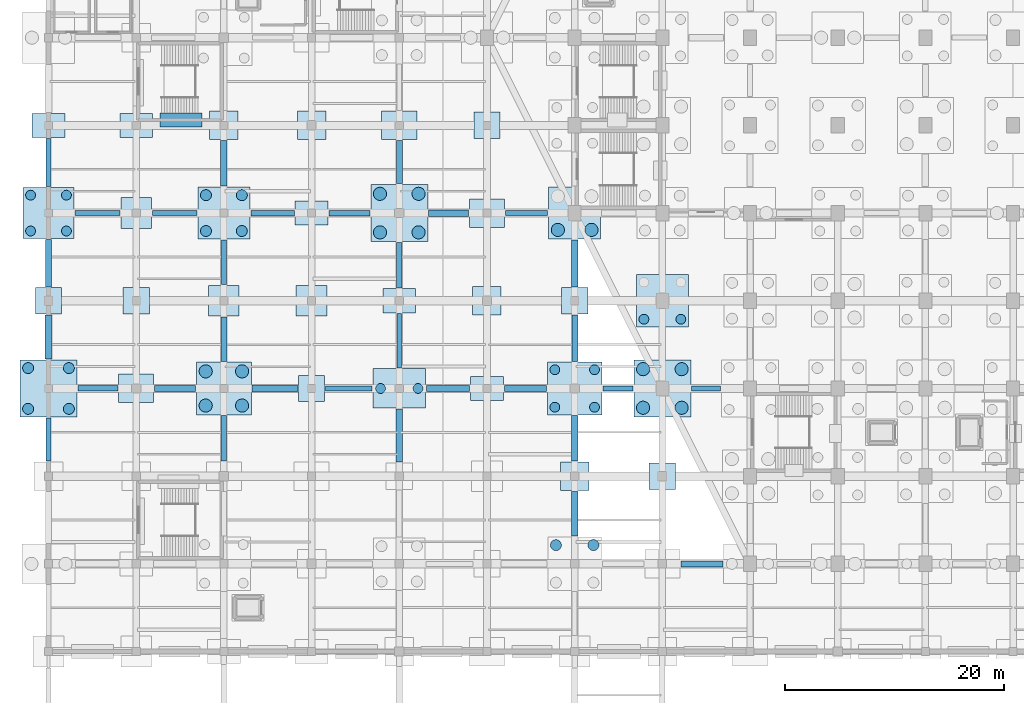
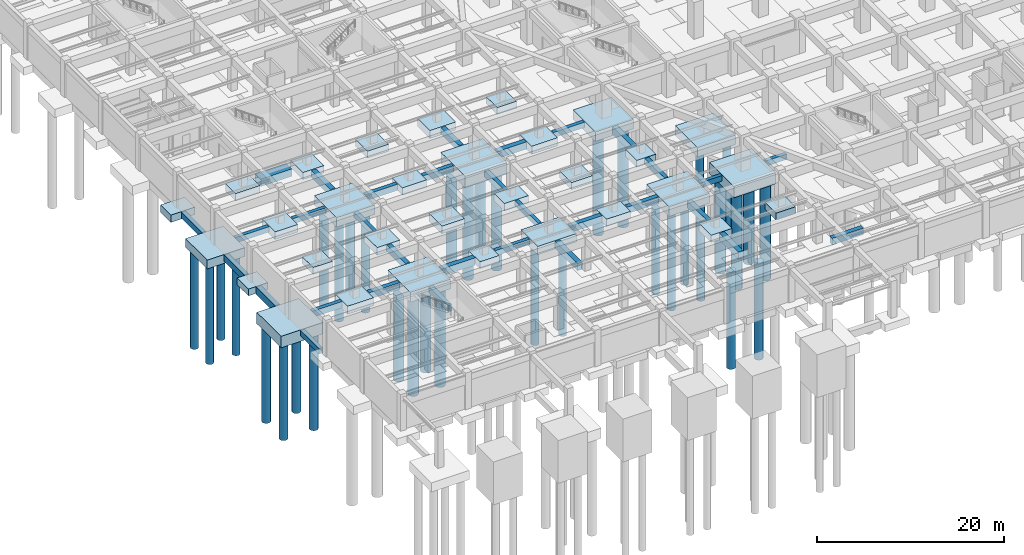
# One storey, part 2 of 36: 63 footings, 36 piles.
"""IFC4 building model written with IfcOpenShell, lengths in metres."""

from ifc_helpers import new_model, si_unit, direction, frame, origin, origin_2d, place, context, subcontext, project, spatial, rectangle, circle, extrude, material, material_profile, profile_set, type_object, element, save


model = new_model("IFC4")

# Units and contexts
model_context = context("Model", 3, precision=1e-05, world=origin(), true_north=direction((0.0, 1.0)))
body_context = subcontext(model_context, "Body", "Model", "MODEL_VIEW")
ifc_project = project(units=[si_unit("LENGTHUNIT", "METRE"), si_unit("AREAUNIT", "SQUARE_METRE"), si_unit("VOLUMEUNIT", "CUBIC_METRE"), si_unit("PLANEANGLEUNIT", "RADIAN"), si_unit("MASSUNIT", "GRAM", prefix="KILO")], contexts=[model_context])

# Site, building, storey
site_placement = place(None, origin())
site = spatial("IfcSite", under=ifc_project, at=site_placement, CompositionType="ELEMENT")
building_placement = place(site_placement, origin())
building = spatial("IfcBuilding", under=site, at=building_placement, Name="Tazarka Park Arena", CompositionType="ELEMENT")
storey_placement = place(building_placement, frame((0.0, 0.0, -4.800048828125)))
storey = spatial("IfcBuildingStorey", under=building, at=storey_placement, Name="B1", CompositionType="ELEMENT", Elevation=-4.800048828125)

# Footings
ifc_material_1 = material(Name="Concrete C35/45", Category="concrete")
footing_type_1 = type_object("IfcFootingType", Name="CAP-PC-03", PredefinedType="PILE_CAP", material=ifc_material_1)
footing_1_placement = place(storey_placement, frame((32.0, 32.0, -1.10009765625), z_axis=(0.0, 0.0, 1.0), x_axis=(1.0, 0.0, 0.0)))
element("IfcFooting", 1, at=footing_1_placement, inside=storey, type_object=footing_type_1, Name="CAP-G-04-04", PredefinedType="PILE_CAP", context=body_context, shape_type="SweptSolid", body=[
    extrude(rectangle(XDim=4.800048828125, YDim=3.60009765625, at=origin_2d()), origin(), (0.0, 0.0, 1.0), 1.10009765625),
])
ifc_material_2 = material(Name="Concrete C35/45", Category="concrete")
footing_type_2 = type_object("IfcFootingType", Name="CAP-PC-04", PredefinedType="PILE_CAP", material=ifc_material_2)
for number, where, z_axis, x_axis, name in (
    (2, (16.0, 32.0, -1.2998046875), (0.0, 0.0, 1.0), (1.0, 0.0, 0.0), "CAP-G-02-04"),
    (3, (48.0, 32.0, -1.2998046875), (0.0, 0.0, 1.0), (1.0, 0.0, 0.0), "CAP-G-06-04"),
):
    element("IfcFooting", number, at=place(storey_placement, frame(where, z_axis=z_axis, x_axis=x_axis)), inside=storey, type_object=footing_type_2, Name=name, PredefinedType="PILE_CAP", context=body_context, shape_type="SweptSolid", body=[
        extrude(rectangle(XDim=5.0, YDim=4.800048828125, at=origin_2d()), origin(), (0.0, 0.0, 1.0), 1.300048828125),
    ])
ifc_material_3 = material(Name="Concrete C35/45", Category="concrete")
footing_type_3 = type_object("IfcFootingType", Name="CAP-PC-05", PredefinedType="PILE_CAP", material=ifc_material_3)
for number, where, z_axis, x_axis, name in (
    (4, (0.0, 32.0, -1.5), (0.0, 0.0, 1.0), (1.0, 0.0, 0.0), "CAP-G-00-04"),
    (5, (32.0, 48.0, -1.5), (0.0, 0.0, 1.0), (1.0, 0.0, 0.0), "CAP-G-04-06"),
    (6, (56.0, 32.0, -1.5), (0.0, 0.0, 1.0), (1.0, 0.0, 0.0), "CAP-G-07-04"),
):
    element("IfcFooting", number, at=place(storey_placement, frame(where, z_axis=z_axis, x_axis=x_axis)), inside=storey, type_object=footing_type_3, Name=name, PredefinedType="PILE_CAP", context=body_context, shape_type="SweptSolid", body=[
        extrude(rectangle(XDim=5.199951171875, YDim=5.199951171875, at=origin_2d()), origin(), (0.0, 0.0, 1.0), 1.5),
    ])
ifc_material_4 = material(Name="Concrete C35/45", Category="concrete")
footing_type_4 = type_object("IfcFootingType", Name="CAP-PC-06", PredefinedType="PILE_CAP", material=ifc_material_4)
for number, where, z_axis, x_axis, name in (
    (7, (16.0, 48.0, -1.25), (0.0, 0.0, 1.0), (1.0, 0.0, 0.0), "CAP-G-02-06"),
    (8, (48.0, 48.0, -1.25), (0.0, 0.0, 1.0), (1.0, 0.0, 0.0), "CAP-G-06-06"),
    (9, (56.0, 40.0, -1.25), (0.0, 0.0, 1.0), (1.0, 0.0, 0.0), "CAP-G-07-05"),
):
    element("IfcFooting", number, at=place(storey_placement, frame(where, z_axis=z_axis, x_axis=x_axis)), inside=storey, type_object=footing_type_4, Name=name, PredefinedType="PILE_CAP", context=body_context, shape_type="SweptSolid", body=[
        extrude(rectangle(XDim=4.75, YDim=4.75, at=origin_2d()), origin(), (0.0, 0.0, 1.0), 1.25),
    ])
ifc_material_5 = material(Name="Concrete C35/45", Category="concrete")
footing_type_5 = type_object("IfcFootingType", Name="CAP-PC-07", PredefinedType="PILE_CAP", material=ifc_material_5)
footing_2_placement = place(storey_placement, frame((0.0, 48.0, -1.14990234375), z_axis=(0.0, 0.0, 1.0), x_axis=(1.0, 0.0, 0.0)))
element("IfcFooting", 10, at=footing_2_placement, inside=storey, type_object=footing_type_5, Name="CAP-G-00-06", PredefinedType="PILE_CAP", context=body_context, shape_type="SweptSolid", body=[
    extrude(rectangle(XDim=4.64990234375, YDim=4.64990234375, at=origin_2d()), origin(), (0.0, 0.0, 1.0), 1.14990234375),
])
ifc_material_6 = material(Name="Concrete C35/45", Category="concrete")
ifc_material_profile_1 = material_profile(ifc_material_6, rectangle(XDim=0.449951171875, YDim=0.699951171875, at=origin_2d()), Name="Concrete C35/45")
ifc_profile_set_1 = profile_set([ifc_material_profile_1], Name="Concrete C35/45")
footing_type_6 = type_object("IfcFootingType", Name="GB-GB-01", PredefinedType="FOOTING_BEAM", material=ifc_profile_set_1)
footing_3_placement = place(storey_placement, frame((0.0, 25.3798828125, -0.349853515625), z_axis=(0.0, 1.0, 0.0), x_axis=(-1.0, 0.0, 0.0)))
element("IfcFooting", 11, at=footing_3_placement, inside=storey, type_object=footing_type_6, Name="GB-Y-00-03", PredefinedType="FOOTING_BEAM", context=body_context, shape_type="SweptSolid", body=[
    extrude(rectangle(XDim=0.449951171875, YDim=0.699951171875, at=origin_2d()), origin(), (0.0, 0.0, 1.0), 3.940185546875),
])
footing_4_placement = place(storey_placement, frame((2.405029296875, 48.0, -0.349853515625), z_axis=(1.0, 0.0, 0.0), x_axis=(0.0, 1.0, 0.0)))
element("IfcFooting", 12, at=footing_4_placement, inside=storey, type_object=footing_type_6, Name="GB-X-00-06", PredefinedType="FOOTING_BEAM", context=body_context, shape_type="SweptSolid", body=[
    extrude(rectangle(XDim=0.449951171875, YDim=0.699951171875, at=origin_2d()), origin(), (0.0, 0.0, 1.0), 4.114990234375),
])
for number, where, z_axis, x_axis, name in (
    (13, (9.47998046875, 48.0, -0.349853515625), (1.0, 0.0, 0.0), (0.0, 1.0, 0.0), "GB-X-01-06"),
    (14, (16.0, 41.47998046875, -0.349853515625), (0.0, 1.0, 0.0), (-1.0, 0.0, 0.0), "GB-Y-02-05"),
):
    element("IfcFooting", number, at=place(storey_placement, frame(where, z_axis=z_axis, x_axis=x_axis)), inside=storey, type_object=footing_type_6, Name=name, PredefinedType="FOOTING_BEAM", context=body_context, shape_type="SweptSolid", body=[
        extrude(rectangle(XDim=0.449951171875, YDim=0.699951171875, at=origin_2d()), origin(), (0.0, 0.0, 1.0), 4.06494140625),
    ])
footing_5_placement = place(storey_placement, frame((25.280029296875, 32.0, -0.349853515625), z_axis=(1.0, 0.0, 0.0), x_axis=(0.0, 1.0, 0.0)))
element("IfcFooting", 15, at=footing_5_placement, inside=storey, type_object=footing_type_6, Name="GB-X-03-04", PredefinedType="FOOTING_BEAM", context=body_context, shape_type="SweptSolid", body=[
    extrude(rectangle(XDim=0.449951171875, YDim=0.699951171875, at=origin_2d()), origin(), (0.0, 0.0, 1.0), 4.239990234375),
])
footing_6_placement = place(storey_placement, frame((32.0, 33.8798828125, -0.349853515625), z_axis=(0.0, 1.0, 0.0), x_axis=(-1.0, 0.0, 0.0)))
element("IfcFooting", 16, at=footing_6_placement, inside=storey, type_object=footing_type_6, Name="GB-Y-04-04", PredefinedType="FOOTING_BEAM", context=body_context, shape_type="SweptSolid", body=[
    extrude(rectangle(XDim=0.449951171875, YDim=0.699951171875, at=origin_2d()), origin(), (0.0, 0.0, 1.0), 4.940185546875),
])
footing_7_placement = place(storey_placement, frame((41.679931640625, 48.0, -0.349853515625), z_axis=(1.0, 0.0, 0.0), x_axis=(0.0, 1.0, 0.0)))
element("IfcFooting", 17, at=footing_7_placement, inside=storey, type_object=footing_type_6, Name="GB-X-05-06", PredefinedType="FOOTING_BEAM", context=body_context, shape_type="SweptSolid", body=[
    extrude(rectangle(XDim=0.449951171875, YDim=0.699951171875, at=origin_2d()), origin(), (0.0, 0.0, 1.0), 3.864990234375),
])
footing_8_placement = place(storey_placement, frame((50.580078125, 32.0, -0.349853515625), z_axis=(1.0, 0.0, 0.0), x_axis=(0.0, 1.0, 0.0)))
element("IfcFooting", 18, at=footing_8_placement, inside=storey, type_object=footing_type_6, Name="GB-X-06-04", PredefinedType="FOOTING_BEAM", context=body_context, shape_type="SweptSolid", body=[
    extrude(rectangle(XDim=0.449951171875, YDim=0.699951171875, at=origin_2d()), origin(), (0.0, 0.0, 1.0), 2.739990234375),
])
footing_9_placement = place(storey_placement, frame((58.679931640625, 32.0, -0.349853515625), z_axis=(1.0, 0.0, 0.0), x_axis=(0.0, 1.0, 0.0)))
element("IfcFooting", 19, at=footing_9_placement, inside=storey, type_object=footing_type_6, Name="GB-X-07-04", PredefinedType="FOOTING_BEAM", context=body_context, shape_type="SweptSolid", body=[
    extrude(rectangle(XDim=0.449951171875, YDim=0.699951171875, at=origin_2d()), origin(), (0.0, 0.0, 1.0), 2.64013671875),
])
ifc_material_7 = material(Name="Concrete C35/45", Category="concrete")
ifc_material_profile_2 = material_profile(ifc_material_7, rectangle(XDim=0.5, YDim=0.800048828125, at=origin_2d()), Name="Concrete C35/45")
ifc_profile_set_2 = profile_set([ifc_material_profile_2], Name="Concrete C35/45")
footing_type_7 = type_object("IfcFootingType", Name="GB-GB-02", PredefinedType="FOOTING_BEAM", material=ifc_profile_set_2)
footing_10_placement = place(storey_placement, frame((2.679931640625, 32.0, -0.39990234375), z_axis=(1.0, 0.0, 0.0), x_axis=(0.0, 1.0, 0.0)))
element("IfcFooting", 20, at=footing_10_placement, inside=storey, type_object=footing_type_7, Name="GB-X-00-04", PredefinedType="FOOTING_BEAM", context=body_context, shape_type="SweptSolid", body=[
    extrude(rectangle(XDim=0.5, YDim=0.800048828125, at=origin_2d()), origin(), (0.0, 0.0, 1.0), 3.64013671875),
])
footing_11_placement = place(storey_placement, frame((0.0, 50.405029296875, -0.39990234375), z_axis=(0.0, 1.0, 0.0), x_axis=(-1.0, 0.0, 0.0)))
element("IfcFooting", 21, at=footing_11_placement, inside=storey, type_object=footing_type_7, Name="GB-Y-00-06", PredefinedType="FOOTING_BEAM", context=body_context, shape_type="SweptSolid", body=[
    extrude(rectangle(XDim=0.5, YDim=0.800048828125, at=origin_2d()), origin(), (0.0, 0.0, 1.0), 4.4150390625),
])
footing_12_placement = place(storey_placement, frame((16.0, 25.3798828125, -0.39990234375), z_axis=(0.0, 1.0, 0.0), x_axis=(-1.0, 0.0, 0.0)))
element("IfcFooting", 22, at=footing_12_placement, inside=storey, type_object=footing_type_7, Name="GB-Y-02-03", PredefinedType="FOOTING_BEAM", context=body_context, shape_type="SweptSolid", body=[
    extrude(rectangle(XDim=0.5, YDim=0.800048828125, at=origin_2d()), origin(), (0.0, 0.0, 1.0), 4.14013671875),
])
footing_13_placement = place(storey_placement, frame((18.455078125, 48.0, -0.39990234375), z_axis=(1.0, 0.0, 0.0), x_axis=(0.0, 1.0, 0.0)))
element("IfcFooting", 23, at=footing_13_placement, inside=storey, type_object=footing_type_7, Name="GB-X-02-06", PredefinedType="FOOTING_BEAM", context=body_context, shape_type="SweptSolid", body=[
    extrude(rectangle(XDim=0.5, YDim=0.800048828125, at=origin_2d()), origin(), (0.0, 0.0, 1.0), 3.96484375),
])
footing_14_placement = place(storey_placement, frame((25.580078125, 48.0, -0.39990234375), z_axis=(1.0, 0.0, 0.0), x_axis=(0.0, 1.0, 0.0)))
element("IfcFooting", 24, at=footing_14_placement, inside=storey, type_object=footing_type_7, Name="GB-X-03-06", PredefinedType="FOOTING_BEAM", context=body_context, shape_type="SweptSolid", body=[
    extrude(rectangle(XDim=0.5, YDim=0.800048828125, at=origin_2d()), origin(), (0.0, 0.0, 1.0), 3.739990234375),
])
footing_15_placement = place(storey_placement, frame((32.0, 41.179931640625, -0.39990234375), z_axis=(0.0, 1.0, 0.0), x_axis=(-1.0, 0.0, 0.0)))
element("IfcFooting", 25, at=footing_15_placement, inside=storey, type_object=footing_type_7, Name="GB-Y-04-05", PredefinedType="FOOTING_BEAM", context=body_context, shape_type="SweptSolid", body=[
    extrude(rectangle(XDim=0.5, YDim=0.800048828125, at=origin_2d()), origin(), (0.0, 0.0, 1.0), 4.14013671875),
])
footing_16_placement = place(storey_placement, frame((48.0, 34.47998046875, -0.39990234375), z_axis=(0.0, 1.0, 0.0), x_axis=(-1.0, 0.0, 0.0)))
element("IfcFooting", 26, at=footing_16_placement, inside=storey, type_object=footing_type_7, Name="GB-Y-06-04", PredefinedType="FOOTING_BEAM", context=body_context, shape_type="SweptSolid", body=[
    extrude(rectangle(XDim=0.5, YDim=0.800048828125, at=origin_2d()), origin(), (0.0, 0.0, 1.0), 4.239990234375),
])
ifc_material_8 = material(Name="Concrete C35/45", Category="concrete")
ifc_material_profile_3 = material_profile(ifc_material_8, rectangle(XDim=0.60009765625, YDim=0.949951171875, at=origin_2d()), Name="Concrete C35/45")
ifc_profile_set_3 = profile_set([ifc_material_profile_3], Name="Concrete C35/45")
footing_type_8 = type_object("IfcFootingType", Name="GB-GB-03", PredefinedType="FOOTING_BEAM", material=ifc_profile_set_3)
footing_17_placement = place(storey_placement, frame((0.0, 34.679931640625, -0.474853515625), z_axis=(0.0, 1.0, 0.0), x_axis=(-1.0, 0.0, 0.0)))
element("IfcFooting", 27, at=footing_17_placement, inside=storey, type_object=footing_type_8, Name="GB-Y-00-04", PredefinedType="FOOTING_BEAM", context=body_context, shape_type="SweptSolid", body=[
    extrude(rectangle(XDim=0.60009765625, YDim=0.949951171875, at=origin_2d()), origin(), (0.0, 0.0, 1.0), 4.0400390625),
])
footing_18_placement = place(storey_placement, frame((18.580078125, 32.0, -0.474853515625), z_axis=(1.0, 0.0, 0.0), x_axis=(0.0, 1.0, 0.0)))
element("IfcFooting", 28, at=footing_18_placement, inside=storey, type_object=footing_type_8, Name="GB-X-02-04", PredefinedType="FOOTING_BEAM", context=body_context, shape_type="SweptSolid", body=[
    extrude(rectangle(XDim=0.60009765625, YDim=0.949951171875, at=origin_2d()), origin(), (0.0, 0.0, 1.0), 4.139892578125),
])
footing_19_placement = place(storey_placement, frame((16.0, 50.455078125, -0.474853515625), z_axis=(0.0, 1.0, 0.0), x_axis=(-1.0, 0.0, 0.0)))
element("IfcFooting", 29, at=footing_19_placement, inside=storey, type_object=footing_type_8, Name="GB-Y-02-06", PredefinedType="FOOTING_BEAM", context=body_context, shape_type="SweptSolid", body=[
    extrude(rectangle(XDim=0.60009765625, YDim=0.949951171875, at=origin_2d()), origin(), (0.0, 0.0, 1.0), 4.1650390625),
])
footing_20_placement = place(storey_placement, frame((32.0, 25.280029296875, -0.474853515625), z_axis=(0.0, 1.0, 0.0), x_axis=(-1.0, 0.0, 0.0)))
element("IfcFooting", 30, at=footing_20_placement, inside=storey, type_object=footing_type_8, Name="GB-Y-04-03", PredefinedType="FOOTING_BEAM", context=body_context, shape_type="SweptSolid", body=[
    extrude(rectangle(XDim=0.60009765625, YDim=0.949951171875, at=origin_2d()), origin(), (0.0, 0.0, 1.0), 4.840087890625),
])
footing_21_placement = place(storey_placement, frame((34.679931640625, 48.0, -0.474853515625), z_axis=(1.0, 0.0, 0.0), x_axis=(0.0, 1.0, 0.0)))
element("IfcFooting", 31, at=footing_21_placement, inside=storey, type_object=footing_type_8, Name="GB-X-04-06", PredefinedType="FOOTING_BEAM", context=body_context, shape_type="SweptSolid", body=[
    extrude(rectangle(XDim=0.60009765625, YDim=0.949951171875, at=origin_2d()), origin(), (0.0, 0.0, 1.0), 3.64013671875),
])
footing_22_placement = place(storey_placement, frame((48.0, 18.530029296875, -0.474853515625), z_axis=(0.0, 1.0, 0.0), x_axis=(-1.0, 0.0, 0.0)))
element("IfcFooting", 32, at=footing_22_placement, inside=storey, type_object=footing_type_8, Name="GB-Y-06-02", PredefinedType="FOOTING_BEAM", context=body_context, shape_type="SweptSolid", body=[
    extrude(rectangle(XDim=0.60009765625, YDim=0.949951171875, at=origin_2d()), origin(), (0.0, 0.0, 1.0), 4.090087890625),
])
footing_23_placement = place(storey_placement, frame((48.0, 41.280029296875, -0.474853515625), z_axis=(0.0, 1.0, 0.0), x_axis=(-1.0, 0.0, 0.0)))
element("IfcFooting", 33, at=footing_23_placement, inside=storey, type_object=footing_type_8, Name="GB-Y-06-05", PredefinedType="FOOTING_BEAM", context=body_context, shape_type="SweptSolid", body=[
    extrude(rectangle(XDim=0.60009765625, YDim=0.949951171875, at=origin_2d()), origin(), (0.0, 0.0, 1.0), 4.264892578125),
])
ifc_material_9 = material(Name="Concrete C35/45", Category="concrete")
ifc_material_profile_4 = material_profile(ifc_material_9, rectangle(XDim=0.550048828125, YDim=0.85009765625, at=origin_2d()), Name="Concrete C35/45")
ifc_profile_set_4 = profile_set([ifc_material_profile_4], Name="Concrete C35/45")
footing_type_9 = type_object("IfcFootingType", Name="GB-GB-04", PredefinedType="FOOTING_BEAM", material=ifc_profile_set_4)
footing_24_placement = place(storey_placement, frame((0.0, 41.280029296875, -0.425048828125), z_axis=(0.0, 1.0, 0.0), x_axis=(-1.0, 0.0, 0.0)))
element("IfcFooting", 34, at=footing_24_placement, inside=storey, type_object=footing_type_9, Name="GB-Y-00-05", PredefinedType="FOOTING_BEAM", context=body_context, shape_type="SweptSolid", body=[
    extrude(rectangle(XDim=0.550048828125, YDim=0.85009765625, at=origin_2d()), origin(), (0.0, 0.0, 1.0), 4.31494140625),
])
footing_25_placement = place(storey_placement, frame((9.679931640625, 32.0, -0.425048828125), z_axis=(1.0, 0.0, 0.0), x_axis=(0.0, 1.0, 0.0)))
element("IfcFooting", 35, at=footing_25_placement, inside=storey, type_object=footing_type_9, Name="GB-X-01-04", PredefinedType="FOOTING_BEAM", context=body_context, shape_type="SweptSolid", body=[
    extrude(rectangle(XDim=0.550048828125, YDim=0.85009765625, at=origin_2d()), origin(), (0.0, 0.0, 1.0), 3.739990234375),
])
footing_26_placement = place(storey_placement, frame((16.0, 34.47998046875, -0.425048828125), z_axis=(0.0, 1.0, 0.0), x_axis=(-1.0, 0.0, 0.0)))
element("IfcFooting", 36, at=footing_26_placement, inside=storey, type_object=footing_type_9, Name="GB-Y-02-04", PredefinedType="FOOTING_BEAM", context=body_context, shape_type="SweptSolid", body=[
    extrude(rectangle(XDim=0.550048828125, YDim=0.85009765625, at=origin_2d()), origin(), (0.0, 0.0, 1.0), 4.0400390625),
])
footing_27_placement = place(storey_placement, frame((34.47998046875, 32.0, -0.425048828125), z_axis=(1.0, 0.0, 0.0), x_axis=(0.0, 1.0, 0.0)))
element("IfcFooting", 37, at=footing_27_placement, inside=storey, type_object=footing_type_9, Name="GB-X-04-04", PredefinedType="FOOTING_BEAM", context=body_context, shape_type="SweptSolid", body=[
    extrude(rectangle(XDim=0.550048828125, YDim=0.85009765625, at=origin_2d()), origin(), (0.0, 0.0, 1.0), 3.93994140625),
])
footing_28_placement = place(storey_placement, frame((32.0, 50.679931640625, -0.425048828125), z_axis=(0.0, 1.0, 0.0), x_axis=(-1.0, 0.0, 0.0)))
element("IfcFooting", 38, at=footing_28_placement, inside=storey, type_object=footing_type_9, Name="GB-Y-04-06", PredefinedType="FOOTING_BEAM", context=body_context, shape_type="SweptSolid", body=[
    extrude(rectangle(XDim=0.550048828125, YDim=0.85009765625, at=origin_2d()), origin(), (0.0, 0.0, 1.0), 3.940185546875),
])
footing_29_placement = place(storey_placement, frame((41.580078125, 32.0, -0.425048828125), z_axis=(1.0, 0.0, 0.0), x_axis=(0.0, 1.0, 0.0)))
element("IfcFooting", 39, at=footing_29_placement, inside=storey, type_object=footing_type_9, Name="GB-X-05-04", PredefinedType="FOOTING_BEAM", context=body_context, shape_type="SweptSolid", body=[
    extrude(rectangle(XDim=0.550048828125, YDim=0.85009765625, at=origin_2d()), origin(), (0.0, 0.0, 1.0), 3.83984375),
])
footing_30_placement = place(storey_placement, frame((48.0, 25.3798828125, -0.425048828125), z_axis=(0.0, 1.0, 0.0), x_axis=(-1.0, 0.0, 0.0)))
element("IfcFooting", 40, at=footing_30_placement, inside=storey, type_object=footing_type_9, Name="GB-Y-06-03", PredefinedType="FOOTING_BEAM", context=body_context, shape_type="SweptSolid", body=[
    extrude(rectangle(XDim=0.550048828125, YDim=0.85009765625, at=origin_2d()), origin(), (0.0, 0.0, 1.0), 4.14013671875),
])
footing_31_placement = place(storey_placement, frame((57.679931640625, 16.0, -0.425048828125), z_axis=(1.0, 0.0, 0.0), x_axis=(0.0, 1.0, 0.0)))
element("IfcFooting", 41, at=footing_31_placement, inside=storey, type_object=footing_type_9, Name="GB-X-07-02", PredefinedType="FOOTING_BEAM", context=body_context, shape_type="SweptSolid", body=[
    extrude(rectangle(XDim=0.550048828125, YDim=0.85009765625, at=origin_2d()), origin(), (0.0, 0.0, 1.0), 3.840087890625),
])
ifc_material_10 = material(Name="Concrete C35/45", Category="concrete")
footing_type_10 = type_object("IfcFootingType", Name="PAD-PF-01", PredefinedType="PAD_FOOTING", material=ifc_material_10)
for number, where, z_axis, x_axis, name in (
    (42, (0.0, 40.0, -0.89990234375), (0.0, 0.0, 1.0), (1.0, 0.0, 0.0), "PAD-G-00-05"),
    (43, (8.0, 40.0, -0.89990234375), (0.0, 0.0, 1.0), (1.0, 0.0, 0.0), "PAD-G-01-05"),
    (44, (24.0, 32.0, -0.89990234375), (0.0, 0.0, 1.0), (1.0, 0.0, 0.0), "PAD-G-03-04"),
    (45, (40.0, 56.0, -0.89990234375), (0.0, 0.0, 1.0), (1.0, 0.0, 0.0), "PAD-G-05-07"),
    (46, (48.0, 40.0, -0.89990234375), (0.0, 0.0, 1.0), (1.0, 0.0, 0.0), "PAD-G-06-05"),
    (47, (56.0, 24.0, -0.89990234375), (0.0, 0.0, 1.0), (1.0, 0.0, 0.0), "PAD-G-07-03"),
):
    element("IfcFooting", number, at=place(storey_placement, frame(where, z_axis=z_axis, x_axis=x_axis)), inside=storey, type_object=footing_type_10, Name=name, PredefinedType="PAD_FOOTING", context=body_context, shape_type="SweptSolid", body=[
        extrude(rectangle(XDim=2.39990234375, YDim=2.39990234375, at=origin_2d()), origin(), (0.0, 0.0, 1.0), 0.89990234375),
    ])
ifc_material_11 = material(Name="Concrete C35/45", Category="concrete")
footing_type_11 = type_object("IfcFootingType", Name="PAD-PF-02", PredefinedType="PAD_FOOTING", material=ifc_material_11)
for number, where, z_axis, x_axis, name in (
    (48, (8.0, 48.0, -1.0), (0.0, 0.0, 1.0), (1.0, 0.0, 0.0), "PAD-G-01-06"),
    (49, (16.0, 40.0, -1.0), (0.0, 0.0, 1.0), (1.0, 0.0, 0.0), "PAD-G-02-05"),
    (50, (24.0, 40.0, -1.0), (0.0, 0.0, 1.0), (1.0, 0.0, 0.0), "PAD-G-03-05"),
):
    element("IfcFooting", number, at=place(storey_placement, frame(where, z_axis=z_axis, x_axis=x_axis)), inside=storey, type_object=footing_type_11, Name=name, PredefinedType="PAD_FOOTING", context=body_context, shape_type="SweptSolid", body=[
        extrude(rectangle(XDim=2.800048828125, YDim=2.800048828125, at=origin_2d()), origin(), (0.0, 0.0, 1.0), 1.0),
    ])
ifc_material_12 = material(Name="Concrete C35/45", Category="concrete")
footing_type_12 = type_object("IfcFootingType", Name="PAD-PF-03", PredefinedType="PAD_FOOTING", material=ifc_material_12)
for number, where, z_axis, x_axis, name in (
    (51, (0.0, 56.0, -0.94970703125), (0.0, 0.0, 1.0), (1.0, 0.0, 0.0), "PAD-G-00-07"),
    (52, (8.0, 56.0, -0.94970703125), (0.0, 0.0, 1.0), (1.0, 0.0, 0.0), "PAD-G-01-07"),
    (53, (24.0, 48.0, -0.94970703125), (0.0, 0.0, 1.0), (1.0, 0.0, 0.0), "PAD-G-03-06"),
    (54, (32.0, 40.0, -0.94970703125), (0.0, 0.0, 1.0), (1.0, 0.0, 0.0), "PAD-G-04-05"),
    (55, (40.0, 32.0, -0.94970703125), (0.0, 0.0, 1.0), (1.0, 0.0, 0.0), "PAD-G-05-04"),
):
    element("IfcFooting", number, at=place(storey_placement, frame(where, z_axis=z_axis, x_axis=x_axis)), inside=storey, type_object=footing_type_12, Name=name, PredefinedType="PAD_FOOTING", context=body_context, shape_type="SweptSolid", body=[
        extrude(rectangle(XDim=3.0, YDim=2.199951171875, at=origin_2d()), origin(), (0.0, 0.0, 1.0), 0.949951171875),
    ])
ifc_material_13 = material(Name="Concrete C35/45", Category="concrete")
footing_type_13 = type_object("IfcFootingType", Name="PAD-PF-04", PredefinedType="PAD_FOOTING", material=ifc_material_13)
for number, where, z_axis, x_axis, name in (
    (56, (16.0, 56.0, -0.919921875), (0.0, 0.0, 1.0), (1.0, 0.0, 0.0), "PAD-G-02-07"),
    (57, (24.0, 56.0, -0.919921875), (0.0, 0.0, 1.0), (1.0, 0.0, 0.0), "PAD-G-03-07"),
    (58, (40.0, 40.0, -0.919921875), (0.0, 0.0, 1.0), (1.0, 0.0, 0.0), "PAD-G-05-05"),
    (59, (48.0, 24.0, -0.919921875), (0.0, 0.0, 1.0), (1.0, 0.0, 0.0), "PAD-G-06-03"),
):
    element("IfcFooting", number, at=place(storey_placement, frame(where, z_axis=z_axis, x_axis=x_axis)), inside=storey, type_object=footing_type_13, Name=name, PredefinedType="PAD_FOOTING", context=body_context, shape_type="SweptSolid", body=[
        extrude(rectangle(XDim=2.60009765625, YDim=2.60009765625, at=origin_2d()), origin(), (0.0, 0.0, 1.0), 0.919921875),
    ])
ifc_material_14 = material(Name="Concrete C35/45", Category="concrete")
footing_type_14 = type_object("IfcFootingType", Name="PAD-PF-05", PredefinedType="PAD_FOOTING", material=ifc_material_14)
for number, where, z_axis, x_axis, name in (
    (60, (8.0, 32.0, -1.0498046875), (0.0, 0.0, 1.0), (1.0, 0.0, 0.0), "PAD-G-01-04"),
    (61, (32.0, 56.0, -1.0498046875), (0.0, 0.0, 1.0), (1.0, 0.0, 0.0), "PAD-G-04-07"),
    (62, (40.0, 48.0, -1.0498046875), (0.0, 0.0, 1.0), (1.0, 0.0, 0.0), "PAD-G-05-06"),
):
    element("IfcFooting", number, at=place(storey_placement, frame(where, z_axis=z_axis, x_axis=x_axis)), inside=storey, type_object=footing_type_14, Name=name, PredefinedType="PAD_FOOTING", context=body_context, shape_type="SweptSolid", body=[
        extrude(rectangle(XDim=3.199951171875, YDim=2.60009765625, at=origin_2d()), origin(), (0.0, 0.0, 1.0), 1.050048828125),
    ])

# Piles
ifc_material_15 = material(Name="Concrete C35/45", Category="concrete")
ifc_material_profile_5 = material_profile(ifc_material_15, circle(Radius=0.5, at=origin_2d()), Name="Concrete C35/45")
ifc_profile_set_5 = profile_set([ifc_material_profile_5], Name="Concrete C35/45")
pile_type_1 = type_object("IfcPileType", Name="PILE-D1000", PredefinedType="BORED", material=ifc_profile_set_5)
for number, where, z_axis, x_axis, name in (
    (63, (-1.860107421875, 30.139892578125, -1.39990234375), (0.0, 0.0, -1.0), (1.0, 0.0, 0.0), "PLN-G-00-04-1"),
    (64, (1.860107421875, 30.139892578125, -1.39990234375), (0.0, 0.0, -1.0), (1.0, 0.0, 0.0), "PLN-G-00-04-2"),
    (65, (-1.860107421875, 33.860107421875, -1.39990234375), (0.0, 0.0, -1.0), (1.0, 0.0, 0.0), "PLN-G-00-04-3"),
    (66, (1.860107421875, 33.860107421875, -1.39990234375), (0.0, 0.0, -1.0), (1.0, 0.0, 0.0), "PLN-G-00-04-4"),
):
    element("IfcPile", number, at=place(storey_placement, frame(where, z_axis=z_axis, x_axis=x_axis)), inside=storey, type_object=pile_type_1, Name=name, PredefinedType="BORED", context=body_context, shape_type="SweptSolid", body=[
        extrude(circle(Radius=0.5, at=origin_2d()), origin(), (0.0, 0.0, 1.0), 12.60009765625),
    ])
for number, where, z_axis, x_axis, name in (
    (67, (14.364990234375, 46.364990234375, -1.14990234375), (0.0, 0.0, -1.0), (1.0, 0.0, 0.0), "PLN-G-02-06-1"),
    (68, (17.635009765625, 46.364990234375, -1.14990234375), (0.0, 0.0, -1.0), (1.0, 0.0, 0.0), "PLN-G-02-06-2"),
    (69, (14.364990234375, 49.635009765625, -1.14990234375), (0.0, 0.0, -1.0), (1.0, 0.0, 0.0), "PLN-G-02-06-3"),
    (70, (17.635009765625, 49.635009765625, -1.14990234375), (0.0, 0.0, -1.0), (1.0, 0.0, 0.0), "PLN-G-02-06-4"),
):
    element("IfcPile", number, at=place(storey_placement, frame(where, z_axis=z_axis, x_axis=x_axis)), inside=storey, type_object=pile_type_1, Name=name, PredefinedType="BORED", context=body_context, shape_type="SweptSolid", body=[
        extrude(circle(Radius=0.5, at=origin_2d()), origin(), (0.0, 0.0, 1.0), 12.85009765625),
    ])
for number, where, z_axis, x_axis, name in (
    (71, (46.2900390625, 17.7099609375, -1.300048828125), (0.0, 0.0, -1.0), (1.0, 0.0, 0.0), "PLN-G-06-02-3"),
    (72, (49.7099609375, 17.7099609375, -1.300048828125), (0.0, 0.0, -1.0), (1.0, 0.0, 0.0), "PLN-G-06-02-4"),
):
    element("IfcPile", number, at=place(storey_placement, frame(where, z_axis=z_axis, x_axis=x_axis)), inside=storey, type_object=pile_type_1, Name=name, PredefinedType="BORED", context=body_context, shape_type="SweptSolid", body=[
        extrude(circle(Radius=0.5, at=origin_2d()), origin(), (0.0, 0.0, 1.0), 12.699951171875),
    ])
ifc_material_16 = material(Name="Concrete C35/45", Category="concrete")
ifc_material_profile_6 = material_profile(ifc_material_16, circle(Radius=0.60009765625, at=origin_2d()), Name="Concrete C35/45")
ifc_profile_set_6 = profile_set([ifc_material_profile_6], Name="Concrete C35/45")
pile_type_2 = type_object("IfcPileType", Name="PILE-D1200", PredefinedType="BORED", material=ifc_profile_set_6)
for number, where, z_axis, x_axis, name in (
    (73, (14.340087890625, 30.43994140625, -1.199951171875), (0.0, 0.0, -1.0), (1.0, 0.0, 0.0), "PLN-G-02-04-1"),
    (74, (17.659912109375, 30.43994140625, -1.199951171875), (0.0, 0.0, -1.0), (1.0, 0.0, 0.0), "PLN-G-02-04-2"),
    (75, (14.340087890625, 33.56005859375, -1.199951171875), (0.0, 0.0, -1.0), (1.0, 0.0, 0.0), "PLN-G-02-04-3"),
    (76, (17.659912109375, 33.56005859375, -1.199951171875), (0.0, 0.0, -1.0), (1.0, 0.0, 0.0), "PLN-G-02-04-4"),
):
    element("IfcPile", number, at=place(storey_placement, frame(where, z_axis=z_axis, x_axis=x_axis)), inside=storey, type_object=pile_type_2, Name=name, PredefinedType="BORED", context=body_context, shape_type="SweptSolid", body=[
        extrude(circle(Radius=0.60009765625, at=origin_2d()), origin(), (0.0, 0.0, 1.0), 12.800048828125),
    ])
for number, where, z_axis, x_axis, name in (
    (77, (30.239990234375, 46.239990234375, -1.39990234375), (0.0, 0.0, -1.0), (1.0, 0.0, 0.0), "PLN-G-04-06-1"),
    (78, (33.760009765625, 46.239990234375, -1.39990234375), (0.0, 0.0, -1.0), (1.0, 0.0, 0.0), "PLN-G-04-06-2"),
    (79, (30.239990234375, 49.760009765625, -1.39990234375), (0.0, 0.0, -1.0), (1.0, 0.0, 0.0), "PLN-G-04-06-3"),
    (80, (33.760009765625, 49.760009765625, -1.39990234375), (0.0, 0.0, -1.0), (1.0, 0.0, 0.0), "PLN-G-04-06-4"),
):
    element("IfcPile", number, at=place(storey_placement, frame(where, z_axis=z_axis, x_axis=x_axis)), inside=storey, type_object=pile_type_2, Name=name, PredefinedType="BORED", context=body_context, shape_type="SweptSolid", body=[
        extrude(circle(Radius=0.60009765625, at=origin_2d()), origin(), (0.0, 0.0, 1.0), 12.60009765625),
    ])
for number, where, z_axis, x_axis, name in (
    (81, (46.465087890625, 46.465087890625, -1.14990234375), (0.0, 0.0, -1.0), (1.0, 0.0, 0.0), "PLN-G-06-06-1"),
    (82, (49.534912109375, 46.465087890625, -1.14990234375), (0.0, 0.0, -1.0), (1.0, 0.0, 0.0), "PLN-G-06-06-2"),
):
    element("IfcPile", number, at=place(storey_placement, frame(where, z_axis=z_axis, x_axis=x_axis)), inside=storey, type_object=pile_type_2, Name=name, PredefinedType="BORED", context=body_context, shape_type="SweptSolid", body=[
        extrude(circle(Radius=0.60009765625, at=origin_2d()), origin(), (0.0, 0.0, 1.0), 12.85009765625),
    ])
for number, where, z_axis, x_axis, name in (
    (83, (54.239990234375, 30.239990234375, -1.39990234375), (0.0, 0.0, -1.0), (1.0, 0.0, 0.0), "PLN-G-07-04-1"),
    (84, (57.760009765625, 30.239990234375, -1.39990234375), (0.0, 0.0, -1.0), (1.0, 0.0, 0.0), "PLN-G-07-04-2"),
    (85, (54.239990234375, 33.760009765625, -1.39990234375), (0.0, 0.0, -1.0), (1.0, 0.0, 0.0), "PLN-G-07-04-3"),
    (86, (57.760009765625, 33.760009765625, -1.39990234375), (0.0, 0.0, -1.0), (1.0, 0.0, 0.0), "PLN-G-07-04-4"),
):
    element("IfcPile", number, at=place(storey_placement, frame(where, z_axis=z_axis, x_axis=x_axis)), inside=storey, type_object=pile_type_2, Name=name, PredefinedType="BORED", context=body_context, shape_type="SweptSolid", body=[
        extrude(circle(Radius=0.60009765625, at=origin_2d()), origin(), (0.0, 0.0, 1.0), 12.60009765625),
    ])
ifc_material_17 = material(Name="Concrete C35/45", Category="concrete")
ifc_material_profile_7 = material_profile(ifc_material_17, circle(Radius=0.449951171875, at=origin_2d()), Name="Concrete C35/45")
ifc_profile_set_7 = profile_set([ifc_material_profile_7], Name="Concrete C35/45")
pile_type_3 = type_object("IfcPileType", Name="PILE-D900", PredefinedType="BORED", material=ifc_profile_set_7)
for number, where, z_axis, x_axis, name in (
    (87, (-1.635009765625, 46.364990234375, -1.050048828125), (0.0, 0.0, -1.0), (1.0, 0.0, 0.0), "PLN-G-00-06-1"),
    (88, (1.635009765625, 46.364990234375, -1.050048828125), (0.0, 0.0, -1.0), (1.0, 0.0, 0.0), "PLN-G-00-06-2"),
    (89, (-1.635009765625, 49.635009765625, -1.050048828125), (0.0, 0.0, -1.0), (1.0, 0.0, 0.0), "PLN-G-00-06-3"),
    (90, (1.635009765625, 49.635009765625, -1.050048828125), (0.0, 0.0, -1.0), (1.0, 0.0, 0.0), "PLN-G-00-06-4"),
):
    element("IfcPile", number, at=place(storey_placement, frame(where, z_axis=z_axis, x_axis=x_axis)), inside=storey, type_object=pile_type_3, Name=name, PredefinedType="BORED", context=body_context, shape_type="SweptSolid", body=[
        extrude(circle(Radius=0.449951171875, at=origin_2d()), origin(), (0.0, 0.0, 1.0), 12.949951171875),
    ])
for number, where, z_axis, x_axis, name in (
    (91, (30.2900390625, 32.0, -1.0), (0.0, 0.0, -1.0), (1.0, 0.0, 0.0), "PLN-G-04-04-1"),
    (92, (33.7099609375, 32.0, -1.0), (0.0, 0.0, -1.0), (1.0, 0.0, 0.0), "PLN-G-04-04-2"),
):
    element("IfcPile", number, at=place(storey_placement, frame(where, z_axis=z_axis, x_axis=x_axis)), inside=storey, type_object=pile_type_3, Name=name, PredefinedType="BORED", context=body_context, shape_type="SweptSolid", body=[
        extrude(circle(Radius=0.449951171875, at=origin_2d()), origin(), (0.0, 0.0, 1.0), 13.0),
    ])
for number, where, z_axis, x_axis, name in (
    (93, (46.18994140625, 30.2900390625, -1.199951171875), (0.0, 0.0, -1.0), (1.0, 0.0, 0.0), "PLN-G-06-04-1"),
    (94, (49.81005859375, 30.2900390625, -1.199951171875), (0.0, 0.0, -1.0), (1.0, 0.0, 0.0), "PLN-G-06-04-2"),
    (95, (46.18994140625, 33.7099609375, -1.199951171875), (0.0, 0.0, -1.0), (1.0, 0.0, 0.0), "PLN-G-06-04-3"),
    (96, (49.81005859375, 33.7099609375, -1.199951171875), (0.0, 0.0, -1.0), (1.0, 0.0, 0.0), "PLN-G-06-04-4"),
):
    element("IfcPile", number, at=place(storey_placement, frame(where, z_axis=z_axis, x_axis=x_axis)), inside=storey, type_object=pile_type_3, Name=name, PredefinedType="BORED", context=body_context, shape_type="SweptSolid", body=[
        extrude(circle(Radius=0.449951171875, at=origin_2d()), origin(), (0.0, 0.0, 1.0), 12.800048828125),
    ])
for number, where, z_axis, x_axis, name in (
    (97, (54.31494140625, 38.31494140625, -1.14990234375), (0.0, 0.0, -1.0), (1.0, 0.0, 0.0), "PLN-G-07-05-1"),
    (98, (57.68505859375, 38.31494140625, -1.14990234375), (0.0, 0.0, -1.0), (1.0, 0.0, 0.0), "PLN-G-07-05-2"),
):
    element("IfcPile", number, at=place(storey_placement, frame(where, z_axis=z_axis, x_axis=x_axis)), inside=storey, type_object=pile_type_3, Name=name, PredefinedType="BORED", context=body_context, shape_type="SweptSolid", body=[
        extrude(circle(Radius=0.449951171875, at=origin_2d()), origin(), (0.0, 0.0, 1.0), 12.85009765625),
    ])

# Footing
ifc_material_18 = material(Name="Concrete C35/45", Category="concrete")
ifc_material_profile_8 = material_profile(ifc_material_18, rectangle(XDim=1.25, YDim=0.949951171875, at=origin_2d()), Name="Concrete C35/45")
ifc_profile_set_8 = profile_set([ifc_material_profile_8], Name="Concrete C35/45")
footing_type_15 = type_object("IfcFootingType", Name="SF-SF-03", PredefinedType="STRIP_FOOTING", material=ifc_profile_set_8)
footing_32_placement = place(storey_placement, frame((14.02001953125, 56.5, -0.474853515625), z_axis=(-1.0, 0.0, 0.0), x_axis=(0.0, -1.0, 0.0)))
element("IfcFooting", 99, at=footing_32_placement, inside=storey, type_object=footing_type_15, Name="SF-ST01-S-1", PredefinedType="STRIP_FOOTING", context=body_context, shape_type="SweptSolid", body=[
    extrude(rectangle(XDim=1.25, YDim=0.949951171875, at=origin_2d()), origin(), (0.0, 0.0, 1.0), 3.840087890625),
])

save(model, "model.ifc")
